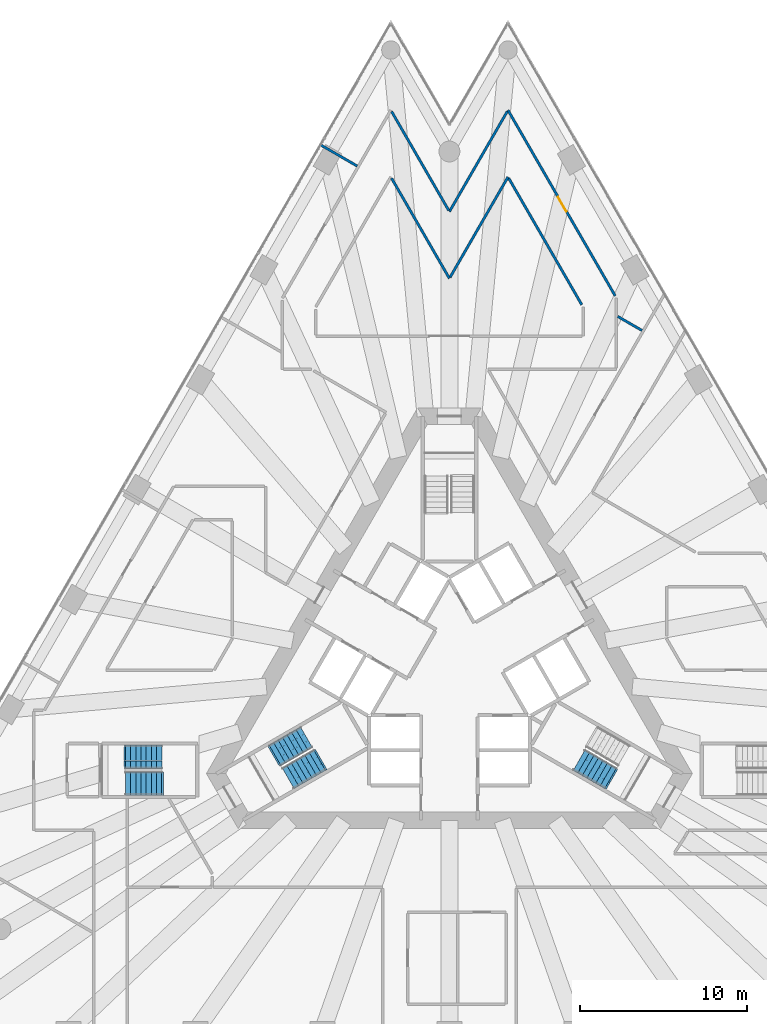
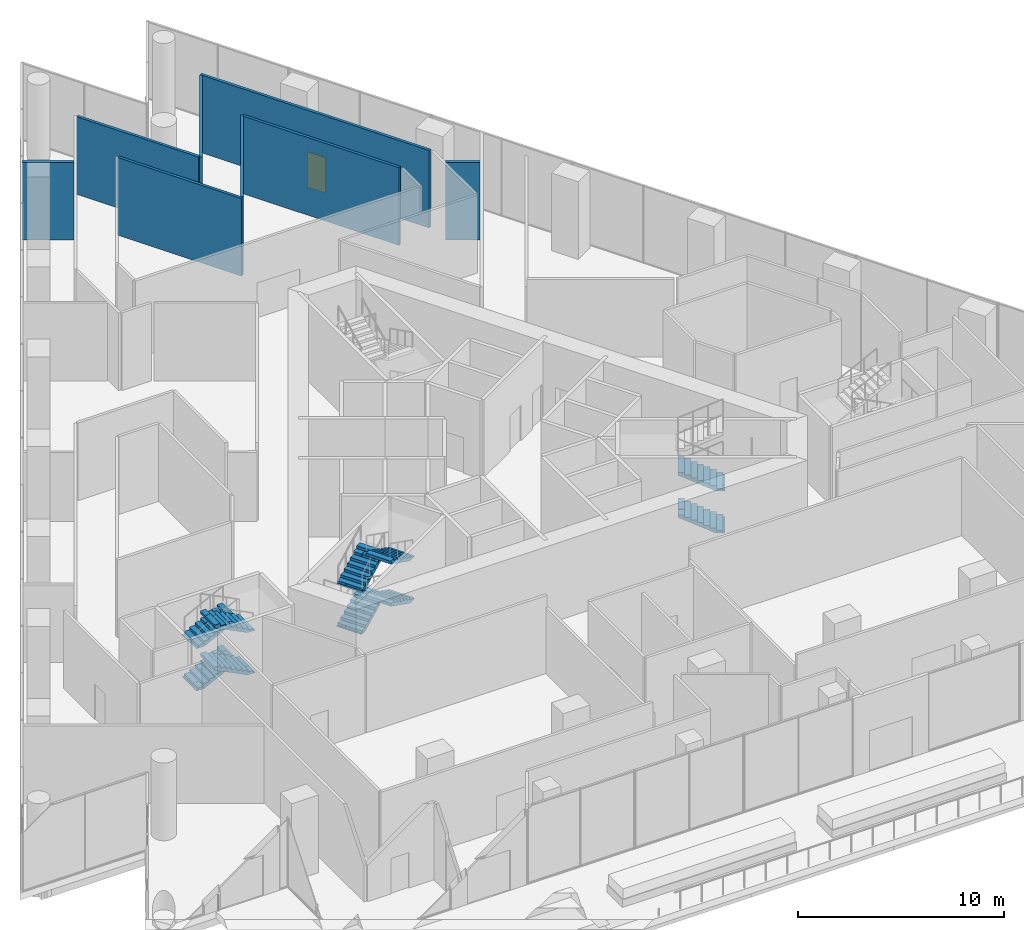
# One storey, part 29 of 32: 10 stair flights, 8 walls, 1 door, 1 opening, 3 elements without a shape of their own.
"""IFC4 building model written with IfcOpenShell, lengths in metres."""

from ifc_helpers import new_model, si_unit, direction, frame, frame_2d, origin, place, context, subcontext, project, spatial, polyline, rectangle, outline, extrude, material, layer, layer_set, type_object, element, fill, aggregate, save


model = new_model("IFC4")

# Units and contexts
model_context = context("Model", 3, precision=1e-05, world=origin(), true_north=direction((0.0, 1.0)))
body_context = subcontext(model_context, "Body", "Model", "MODEL_VIEW")
ifc_project = project(units=[si_unit("LENGTHUNIT", "METRE"), si_unit("AREAUNIT", "SQUARE_METRE"), si_unit("VOLUMEUNIT", "CUBIC_METRE"), si_unit("PLANEANGLEUNIT", "RADIAN"), si_unit("MASSUNIT", "GRAM", prefix="KILO")], contexts=[model_context])

# Site, building, storey
site_placement = place(None, origin())
site = spatial("IfcSite", under=ifc_project, at=site_placement, CompositionType="ELEMENT")
building_placement = place(site_placement, origin())
building = spatial("IfcBuilding", under=site, at=building_placement, Name="Triada Interchange Tower", CompositionType="ELEMENT")
storey_placement = place(building_placement, frame((0.0, 0.0, 25.300048828125)))
storey = spatial("IfcBuildingStorey", under=building, at=storey_placement, Name="L04", CompositionType="ELEMENT", Elevation=25.300048828125)

# Walls
ifc_material_1 = material(Name="Gypsum board partition")
ifc_layer_1 = layer(ifc_material_1, 0.14990234375)
ifc_layer_set_1 = layer_set([ifc_layer_1], Name="PARTITION 150")
wall_type_1 = type_object("IfcWallType", Name="PARTITION 150", PredefinedType="PARTITIONING", material=ifc_layer_set_1)
wall_1_placement = place(storey_placement, frame((-7.7109375, 31.444091796875, 0.0), z_axis=(0.0, 0.0, 1.0), x_axis=(0.86593764446, -0.500151972811, 0.0)))
element("IfcWall", 1, at=wall_1_placement, inside=storey, type_object=wall_type_1, Name="Wall L04 48", PredefinedType="PARTITIONING", context=body_context, shape_type="SweptSolid", body=[
    extrude(rectangle(XDim=2.525634765625, YDim=0.14990234375, at=frame_2d((1.2626953125, 0.0))), origin(), (0.0, 0.0, 1.0), 4.599853515625),
])
ifc_layer_2 = layer(ifc_material_1, 0.14990234375)
ifc_layer_set_2 = layer_set([ifc_layer_2], Name="PARTITION 150 EI 90")
wall_type_2 = type_object("IfcWallType", Name="PARTITION 150 EI 90", PredefinedType="PARTITIONING", material=ifc_layer_set_2)
wall_2_placement = place(storey_placement, frame((10.074951171875, 21.175048828125, 0.0), z_axis=(0.0, 0.0, 1.0), x_axis=(0.866072411327, -0.499918571708, 0.0)))
element("IfcWall", 2, at=wall_2_placement, inside=storey, type_object=wall_type_2, Name="Wall L04 49", PredefinedType="PARTITIONING", context=body_context, shape_type="SweptSolid", body=[
    extrude(rectangle(XDim=1.688232421875, YDim=0.14990234375, at=frame_2d((0.84423828125, 0.0))), origin(), (0.0, 0.0, 1.0), 4.599853515625),
])

# Wall, opening, door
wall_3_placement = place(storey_placement, frame((3.507080078125, 33.52490234375, 0.0), z_axis=(0.0, 0.0, 1.0), x_axis=(0.500009484899, -0.866019927606, 0.0)))
wall_3 = element("IfcWall", 3, at=wall_3_placement, inside=storey, type_object=wall_type_2, Name="Wall L04 51", PredefinedType="PARTITIONING", context=body_context, shape_type="SweptSolid", body=[
    extrude(rectangle(XDim=12.835693359375, YDim=0.14990234375, at=frame_2d((6.41796875, 0.0))), origin(), (0.0, 0.0, 1.0), 4.599853515625),
])
opening_placement = place(wall_3_placement, frame((5.992919921875, 0.0, 0.0)))
opening = element("IfcOpeningElement", 4, at=opening_placement, cuts=wall_3, Name="Opening D04-29", PredefinedType="OPENING", context=body_context, shape_type="SweptSolid", body=[
    extrude(rectangle(XDim=1.0, YDim=2.10009765625, at=frame_2d((0.5, 1.050048828125))), frame((0.0, 0.0849609375, 0.0), z_axis=(0.0, -1.0, 0.0), x_axis=(1.0, 0.0, 0.0)), (0.0, 0.0, 1.0), 0.169921875),
])
ifc_material_2 = material(Name="Steel S235 door leaf", Category="steel")
door_type = type_object("IfcDoorType", Name="ROOM DOOR 1000 EI2 45-C5S200", OperationType="NOTDEFINED", PredefinedType="DOOR", material=ifc_material_2)
door_placement = place(opening_placement, origin())
door = element("IfcDoor", 5, at=door_placement, inside=storey, type_object=door_type, Name="Door D04-29 L04", OperationType="SINGLE_SWING_LEFT", OverallHeight=2.10009765625, OverallWidth=1.0, PredefinedType="DOOR", context=body_context, shape_type="SweptSolid", body=[
    extrude(rectangle(XDim=1.0, YDim=2.10009765625, at=frame_2d((0.5, 1.050048828125))), frame((0.0, 0.02490234375, 0.0), z_axis=(0.0, -1.0, 0.0), x_axis=(1.0, 0.0, 0.0)), (0.0, 0.0, 1.0), 0.050048828125),
])
fill(opening, door)

# Walls
wall_4_placement = place(storey_placement, frame((0.0, 27.449951171875, 0.0), z_axis=(0.0, 0.0, 1.0), x_axis=(0.500001051461, 0.866024796723, 0.0)))
element("IfcWall", 6, at=wall_4_placement, inside=storey, type_object=wall_type_2, Name="Wall L04 53", PredefinedType="PARTITIONING", context=body_context, shape_type="SweptSolid", body=[
    extrude(rectangle(XDim=6.92822265625, YDim=0.14990234375, at=frame_2d((3.464111328125, 0.0))), origin(), (0.0, 0.0, 1.0), 4.599853515625),
])
wall_5_placement = place(storey_placement, frame((-3.464111328125, 33.449951171875, 0.0), z_axis=(0.0, 0.0, 1.0), x_axis=(0.500034424931, -0.866005527629, 0.0)))
element("IfcWall", 7, at=wall_5_placement, inside=storey, type_object=wall_type_2, Name="Wall L04 54", PredefinedType="PARTITIONING", context=body_context, shape_type="SweptSolid", body=[
    extrude(rectangle(XDim=6.841796875, YDim=0.14990234375, at=frame_2d((3.4208984375, 0.0))), origin(), (0.0, 0.0, 1.0), 4.599853515625),
])
for number, where, z_axis, x_axis, name in (
    (8, (-3.464111328125, 29.449951171875, 0.0), (0.0, 0.0, 1.0), (0.49994002247, -0.866060029058, 0.0), "Wall L04 84"),
    (9, (0.04296875, 23.52392578125, 0.0), (0.0, 0.0, 1.0), (0.49994002247, 0.866060029058, 0.0), "Wall L04 85"),
):
    element("IfcWall", number, at=place(storey_placement, frame(where, z_axis=z_axis, x_axis=x_axis)), inside=storey, type_object=wall_type_2, Name=name, PredefinedType="PARTITIONING", context=body_context, shape_type="SweptSolid", body=[
        extrude(rectangle(XDim=6.928955078125, YDim=0.14990234375, at=frame_2d((3.46435546875, 0.0))), origin(), (0.0, 0.0, 1.0), 4.599853515625),
    ])
wall_6_placement = place(storey_placement, frame((3.551025390625, 29.449951171875, 0.0), z_axis=(0.0, 0.0, 1.0), x_axis=(0.499956767928, -0.866050362394, 0.0)))
element("IfcWall", 10, at=wall_6_placement, inside=storey, type_object=wall_type_2, Name="Wall L04 86", PredefinedType="PARTITIONING", context=body_context, shape_type="SweptSolid", body=[
    extrude(rectangle(XDim=8.748779296875, YDim=0.14990234375, at=frame_2d((4.37451171875, 0.0))), origin(), (0.0, 0.0, 1.0), 4.599853515625),
])

# Stair, stair flights
ifc_material_3 = material(Name="Concrete C35/45", Category="concrete")
stair_type = type_object("IfcStairType", Name="HALF TURN STAIR 1400", PredefinedType="HALF_TURN_STAIR", material=ifc_material_3)
stair_1_placement = place(storey_placement, origin())
stair_1 = element("IfcStair", 11, at=stair_1_placement, inside=storey, type_object=stair_type, Name="Exit stair S04-2", PredefinedType="HALF_TURN_STAIR")
stair_flight_type = type_object("IfcStairFlightType", Name="STRAIGHT STAIR FLIGHT 1400", PredefinedType="STRAIGHT", material=ifc_material_3)
stair_flight_1_placement = place(storey_placement, frame((-10.446044921875, -5.10693359375, 0.0), z_axis=(0.0, 0.0, 1.0), x_axis=(0.866025403784, 0.5, 0.0)))
stair_flight_1 = element("IfcStairFlight", 12, at=stair_flight_1_placement, type_object=stair_flight_type, Name="S04-2 flight 1", NumberOfRisers=8, NumberOfTreads=7, PredefinedType="STRAIGHT", RiserHeight=0.15625, TreadLength=0.31, context=body_context, shape_type="SweptSolid", body=[
    extrude(outline(polyline([(-0.10009765625, 0.0), (-0.10009765625, 0.02001953125), (0.0, 0.02001953125), (0.0, 0.15625), (0.31005859375, 0.15625), (0.31005859375, 0.3125), (0.6201171875, 0.3125), (0.6201171875, 0.46875), (0.929931640625, 0.46875), (0.929931640625, 0.625), (1.239990234375, 0.625), (1.239990234375, 0.78125), (1.550048828125, 0.78125), (1.550048828125, 0.9375), (1.860107421875, 0.9375), (1.860107421875, 1.09375), (2.169921875, 1.09375), (2.174072265625, 1.09375), (2.174072265625, 1.25), (2.174072265625, 0.92578125), (0.3330078125, 0.0), (-0.10009765625, 0.0)])), frame((0.0, 0.699951171875, 0.0), z_axis=(0.0, -1.0, 0.0), x_axis=(1.0, 0.0, 0.0)), (0.0, 0.0, 1.0), 0.46533203125),
    extrude(outline(polyline([(-0.10009765625, 0.0), (-0.10009765625, 0.02001953125), (0.0, 0.02001953125), (0.0, 0.15625), (0.31005859375, 0.15625), (0.31005859375, 0.3125), (0.6201171875, 0.3125), (0.6201171875, 0.46875), (0.929931640625, 0.46875), (0.929931640625, 0.625), (1.239990234375, 0.625), (1.239990234375, 0.78125), (1.550048828125, 0.78125), (1.550048828125, 0.9375), (1.860107421875, 0.9375), (1.860107421875, 1.09375), (2.169921875, 1.09375), (2.174072265625, 1.09375), (2.174072265625, 1.25), (2.174072265625, 0.92578125), (0.3330078125, 0.0), (-0.10009765625, 0.0)])), frame((0.0, 0.232666015625, 0.0), z_axis=(0.0, -1.0, 0.0), x_axis=(1.0, 0.0, 0.0)), (0.0, 0.0, 1.0), 0.46533203125),
    extrude(outline(polyline([(-0.10009765625, 0.0), (-0.10009765625, 0.02001953125), (0.0, 0.02001953125), (0.0, 0.15625), (0.31005859375, 0.15625), (0.31005859375, 0.3125), (0.6201171875, 0.3125), (0.6201171875, 0.46875), (0.929931640625, 0.46875), (0.929931640625, 0.625), (1.239990234375, 0.625), (1.239990234375, 0.78125), (1.550048828125, 0.78125), (1.550048828125, 0.9375), (1.860107421875, 0.9375), (1.860107421875, 1.09375), (2.169921875, 1.09375), (2.174072265625, 1.09375), (2.174072265625, 1.25), (2.174072265625, 0.92578125), (0.3330078125, 0.0), (-0.10009765625, 0.0)])), frame((0.0, -0.234619140625, 0.0), z_axis=(0.0, -1.0, 0.0), x_axis=(1.0, 0.0, 0.0)), (0.0, 0.0, 1.0), 0.46533203125),
])
stair_flight_2_placement = place(storey_placement, frame((-7.76708984375, -5.407958984375, 1.25), z_axis=(0.0, 0.0, 1.0), x_axis=(-0.866025403784, -0.5, 0.0)))
stair_flight_2 = element("IfcStairFlight", 13, at=stair_flight_2_placement, type_object=stair_flight_type, Name="S04-2 flight 2", NumberOfRisers=8, NumberOfTreads=7, PredefinedType="STRAIGHT", RiserHeight=0.15625, TreadLength=0.31, context=body_context, shape_type="SweptSolid", body=[
    extrude(outline(polyline([(-0.10009765625, 0.0), (-0.10009765625, 0.02001953125), (0.0, 0.02001953125), (0.0, 0.15625), (0.31005859375, 0.15625), (0.31005859375, 0.3125), (0.6201171875, 0.3125), (0.6201171875, 0.46875), (0.929931640625, 0.46875), (0.929931640625, 0.625), (1.239990234375, 0.625), (1.239990234375, 0.78125), (1.550048828125, 0.78125), (1.550048828125, 0.9375), (1.860107421875, 0.9375), (1.860107421875, 1.09375), (2.169921875, 1.09375), (2.174072265625, 1.09375), (2.174072265625, 1.25), (2.174072265625, 0.92578125), (0.3330078125, 0.0), (-0.10009765625, 0.0)])), frame((0.0, 0.699951171875, 0.0), z_axis=(0.0, -1.0, 0.0), x_axis=(1.0, 0.0, 0.0)), (0.0, 0.0, 1.0), 0.46533203125),
    extrude(outline(polyline([(-0.10009765625, 0.0), (-0.10009765625, 0.02001953125), (0.0, 0.02001953125), (0.0, 0.15625), (0.31005859375, 0.15625), (0.31005859375, 0.3125), (0.6201171875, 0.3125), (0.6201171875, 0.46875), (0.929931640625, 0.46875), (0.929931640625, 0.625), (1.239990234375, 0.625), (1.239990234375, 0.78125), (1.550048828125, 0.78125), (1.550048828125, 0.9375), (1.860107421875, 0.9375), (1.860107421875, 1.09375), (2.169921875, 1.09375), (2.174072265625, 1.09375), (2.174072265625, 1.25), (2.174072265625, 0.92578125), (0.3330078125, 0.0), (-0.10009765625, 0.0)])), frame((0.0, 0.232666015625, 0.0), z_axis=(0.0, -1.0, 0.0), x_axis=(1.0, 0.0, 0.0)), (0.0, 0.0, 1.0), 0.46533203125),
    extrude(outline(polyline([(-0.10009765625, 0.0), (-0.10009765625, 0.02001953125), (0.0, 0.02001953125), (0.0, 0.15625), (0.31005859375, 0.15625), (0.31005859375, 0.3125), (0.6201171875, 0.3125), (0.6201171875, 0.46875), (0.929931640625, 0.46875), (0.929931640625, 0.625), (1.239990234375, 0.625), (1.239990234375, 0.78125), (1.550048828125, 0.78125), (1.550048828125, 0.9375), (1.860107421875, 0.9375), (1.860107421875, 1.09375), (2.169921875, 1.09375), (2.174072265625, 1.09375), (2.174072265625, 1.25), (2.174072265625, 0.92578125), (0.3330078125, 0.0), (-0.10009765625, 0.0)])), frame((0.0, -0.234619140625, 0.0), z_axis=(0.0, -1.0, 0.0), x_axis=(1.0, 0.0, 0.0)), (0.0, 0.0, 1.0), 0.46533203125),
])
stair_flight_3_placement = place(storey_placement, frame((-10.446044921875, -5.10693359375, 2.5), z_axis=(0.0, 0.0, 1.0), x_axis=(0.866025403784, 0.5, 0.0)))
stair_flight_3 = element("IfcStairFlight", 14, at=stair_flight_3_placement, type_object=stair_flight_type, Name="S04-2 flight 3", NumberOfRisers=8, NumberOfTreads=7, PredefinedType="STRAIGHT", RiserHeight=0.15625, TreadLength=0.31, context=body_context, shape_type="SweptSolid", body=[
    extrude(outline(polyline([(-0.10009765625, 0.0), (-0.10009765625, 0.02001953125), (0.0, 0.02001953125), (0.0, 0.15625), (0.31005859375, 0.15625), (0.31005859375, 0.3125), (0.6201171875, 0.3125), (0.6201171875, 0.46875), (0.929931640625, 0.46875), (0.929931640625, 0.625), (1.239990234375, 0.625), (1.239990234375, 0.78125), (1.550048828125, 0.78125), (1.550048828125, 0.9375), (1.860107421875, 0.9375), (1.860107421875, 1.09375), (2.169921875, 1.09375), (2.174072265625, 1.09375), (2.174072265625, 1.25), (2.174072265625, 0.92578125), (0.3330078125, 0.0), (-0.10009765625, 0.0)])), frame((0.0, 0.699951171875, 0.0), z_axis=(0.0, -1.0, 0.0), x_axis=(1.0, 0.0, 0.0)), (0.0, 0.0, 1.0), 0.46533203125),
    extrude(outline(polyline([(-0.10009765625, 0.0), (-0.10009765625, 0.02001953125), (0.0, 0.02001953125), (0.0, 0.15625), (0.31005859375, 0.15625), (0.31005859375, 0.3125), (0.6201171875, 0.3125), (0.6201171875, 0.46875), (0.929931640625, 0.46875), (0.929931640625, 0.625), (1.239990234375, 0.625), (1.239990234375, 0.78125), (1.550048828125, 0.78125), (1.550048828125, 0.9375), (1.860107421875, 0.9375), (1.860107421875, 1.09375), (2.169921875, 1.09375), (2.174072265625, 1.09375), (2.174072265625, 1.25), (2.174072265625, 0.92578125), (0.3330078125, 0.0), (-0.10009765625, 0.0)])), frame((0.0, 0.232666015625, 0.0), z_axis=(0.0, -1.0, 0.0), x_axis=(1.0, 0.0, 0.0)), (0.0, 0.0, 1.0), 0.46533203125),
    extrude(outline(polyline([(-0.10009765625, 0.0), (-0.10009765625, 0.02001953125), (0.0, 0.02001953125), (0.0, 0.15625), (0.31005859375, 0.15625), (0.31005859375, 0.3125), (0.6201171875, 0.3125), (0.6201171875, 0.46875), (0.929931640625, 0.46875), (0.929931640625, 0.625), (1.239990234375, 0.625), (1.239990234375, 0.78125), (1.550048828125, 0.78125), (1.550048828125, 0.9375), (1.860107421875, 0.9375), (1.860107421875, 1.09375), (2.169921875, 1.09375), (2.174072265625, 1.09375), (2.174072265625, 1.25), (2.174072265625, 0.92578125), (0.3330078125, 0.0), (-0.10009765625, 0.0)])), frame((0.0, -0.234619140625, 0.0), z_axis=(0.0, -1.0, 0.0), x_axis=(1.0, 0.0, 0.0)), (0.0, 0.0, 1.0), 0.46533203125),
])
stair_flight_4_placement = place(storey_placement, frame((-7.76708984375, -5.407958984375, 3.75), z_axis=(0.0, 0.0, 1.0), x_axis=(-0.866025403784, -0.5, 0.0)))
stair_flight_4 = element("IfcStairFlight", 15, at=stair_flight_4_placement, type_object=stair_flight_type, Name="S04-2 flight 4", NumberOfRisers=8, NumberOfTreads=7, PredefinedType="STRAIGHT", RiserHeight=0.15625, TreadLength=0.31, context=body_context, shape_type="SweptSolid", body=[
    extrude(outline(polyline([(-0.10009765625, 0.0), (-0.10009765625, 0.02001953125), (0.0, 0.02001953125), (0.0, 0.15625), (0.31005859375, 0.15625), (0.31005859375, 0.3125), (0.6201171875, 0.3125), (0.6201171875, 0.46875), (0.929931640625, 0.46875), (0.929931640625, 0.625), (1.239990234375, 0.625), (1.239990234375, 0.78125), (1.550048828125, 0.78125), (1.550048828125, 0.9375), (1.860107421875, 0.9375), (1.860107421875, 1.09375), (2.169921875, 1.09375), (2.174072265625, 1.09375), (2.174072265625, 1.25), (2.174072265625, 0.92578125), (0.3330078125, 0.0), (-0.10009765625, 0.0)])), frame((0.0, 0.699951171875, 0.0), z_axis=(0.0, -1.0, 0.0), x_axis=(1.0, 0.0, 0.0)), (0.0, 0.0, 1.0), 0.46533203125),
    extrude(outline(polyline([(-0.10009765625, 0.0), (-0.10009765625, 0.02001953125), (0.0, 0.02001953125), (0.0, 0.15625), (0.31005859375, 0.15625), (0.31005859375, 0.3125), (0.6201171875, 0.3125), (0.6201171875, 0.46875), (0.929931640625, 0.46875), (0.929931640625, 0.625), (1.239990234375, 0.625), (1.239990234375, 0.78125), (1.550048828125, 0.78125), (1.550048828125, 0.9375), (1.860107421875, 0.9375), (1.860107421875, 1.09375), (2.169921875, 1.09375), (2.174072265625, 1.09375), (2.174072265625, 1.25), (2.174072265625, 0.92578125), (0.3330078125, 0.0), (-0.10009765625, 0.0)])), frame((0.0, 0.232666015625, 0.0), z_axis=(0.0, -1.0, 0.0), x_axis=(1.0, 0.0, 0.0)), (0.0, 0.0, 1.0), 0.46533203125),
    extrude(outline(polyline([(-0.10009765625, 0.0), (-0.10009765625, 0.02001953125), (0.0, 0.02001953125), (0.0, 0.15625), (0.31005859375, 0.15625), (0.31005859375, 0.3125), (0.6201171875, 0.3125), (0.6201171875, 0.46875), (0.929931640625, 0.46875), (0.929931640625, 0.625), (1.239990234375, 0.625), (1.239990234375, 0.78125), (1.550048828125, 0.78125), (1.550048828125, 0.9375), (1.860107421875, 0.9375), (1.860107421875, 1.09375), (2.169921875, 1.09375), (2.174072265625, 1.09375), (2.174072265625, 1.25), (2.174072265625, 0.92578125), (0.3330078125, 0.0), (-0.10009765625, 0.0)])), frame((0.0, -0.234619140625, 0.0), z_axis=(0.0, -1.0, 0.0), x_axis=(1.0, 0.0, 0.0)), (0.0, 0.0, 1.0), 0.46533203125),
])
aggregate(stair_1, [stair_flight_1, stair_flight_2, stair_flight_3, stair_flight_4])

stair_2_placement = place(storey_placement, origin())
stair_2 = element("IfcStair", 16, at=stair_2_placement, inside=storey, type_object=stair_type, Name="Exit stair S04-3", PredefinedType="HALF_TURN_STAIR")
stair_flight_5_placement = place(storey_placement, frame((9.64599609375, -6.492919921875, 0.0), z_axis=(0.0, 0.0, 1.0), x_axis=(-0.866025403784, 0.5, 0.0)))
stair_flight_5 = element("IfcStairFlight", 17, at=stair_flight_5_placement, type_object=stair_flight_type, Name="S04-3 flight 1", NumberOfRisers=8, NumberOfTreads=7, PredefinedType="STRAIGHT", RiserHeight=0.15625, TreadLength=0.31, context=body_context, shape_type="SweptSolid", body=[
    extrude(outline(polyline([(-0.10009765625, 0.0), (-0.10009765625, 0.02001953125), (0.0, 0.02001953125), (0.0, 0.15625), (0.31005859375, 0.15625), (0.31005859375, 0.3125), (0.6201171875, 0.3125), (0.6201171875, 0.46875), (0.929931640625, 0.46875), (0.929931640625, 0.625), (1.239990234375, 0.625), (1.239990234375, 0.78125), (1.550048828125, 0.78125), (1.550048828125, 0.9375), (1.860107421875, 0.9375), (1.860107421875, 1.09375), (2.169921875, 1.09375), (2.174072265625, 1.09375), (2.174072265625, 1.25), (2.174072265625, 0.92578125), (0.3330078125, 0.0), (-0.10009765625, 0.0)])), frame((0.0, 0.699951171875, 0.0), z_axis=(0.0, -1.0, 0.0), x_axis=(1.0, 0.0, 0.0)), (0.0, 0.0, 1.0), 0.46533203125),
    extrude(outline(polyline([(-0.10009765625, 0.0), (-0.10009765625, 0.02001953125), (0.0, 0.02001953125), (0.0, 0.15625), (0.31005859375, 0.15625), (0.31005859375, 0.3125), (0.6201171875, 0.3125), (0.6201171875, 0.46875), (0.929931640625, 0.46875), (0.929931640625, 0.625), (1.239990234375, 0.625), (1.239990234375, 0.78125), (1.550048828125, 0.78125), (1.550048828125, 0.9375), (1.860107421875, 0.9375), (1.860107421875, 1.09375), (2.169921875, 1.09375), (2.174072265625, 1.09375), (2.174072265625, 1.25), (2.174072265625, 0.92578125), (0.3330078125, 0.0), (-0.10009765625, 0.0)])), frame((0.0, 0.232666015625, 0.0), z_axis=(0.0, -1.0, 0.0), x_axis=(1.0, 0.0, 0.0)), (0.0, 0.0, 1.0), 0.46533203125),
    extrude(outline(polyline([(-0.10009765625, 0.0), (-0.10009765625, 0.02001953125), (0.0, 0.02001953125), (0.0, 0.15625), (0.31005859375, 0.15625), (0.31005859375, 0.3125), (0.6201171875, 0.3125), (0.6201171875, 0.46875), (0.929931640625, 0.46875), (0.929931640625, 0.625), (1.239990234375, 0.625), (1.239990234375, 0.78125), (1.550048828125, 0.78125), (1.550048828125, 0.9375), (1.860107421875, 0.9375), (1.860107421875, 1.09375), (2.169921875, 1.09375), (2.174072265625, 1.09375), (2.174072265625, 1.25), (2.174072265625, 0.92578125), (0.3330078125, 0.0), (-0.10009765625, 0.0)])), frame((0.0, -0.234619140625, 0.0), z_axis=(0.0, -1.0, 0.0), x_axis=(1.0, 0.0, 0.0)), (0.0, 0.0, 1.0), 0.46533203125),
])
stair_flight_6_placement = place(storey_placement, frame((9.64599609375, -6.492919921875, 2.5), z_axis=(0.0, 0.0, 1.0), x_axis=(-0.866025403784, 0.5, 0.0)))
stair_flight_6 = element("IfcStairFlight", 18, at=stair_flight_6_placement, type_object=stair_flight_type, Name="S04-3 flight 3", NumberOfRisers=8, NumberOfTreads=7, PredefinedType="STRAIGHT", RiserHeight=0.15625, TreadLength=0.31, context=body_context, shape_type="SweptSolid", body=[
    extrude(outline(polyline([(-0.10009765625, 0.0), (-0.10009765625, 0.02001953125), (0.0, 0.02001953125), (0.0, 0.15625), (0.31005859375, 0.15625), (0.31005859375, 0.3125), (0.6201171875, 0.3125), (0.6201171875, 0.46875), (0.929931640625, 0.46875), (0.929931640625, 0.625), (1.239990234375, 0.625), (1.239990234375, 0.78125), (1.550048828125, 0.78125), (1.550048828125, 0.9375), (1.860107421875, 0.9375), (1.860107421875, 1.09375), (2.169921875, 1.09375), (2.174072265625, 1.09375), (2.174072265625, 1.25), (2.174072265625, 0.92578125), (0.3330078125, 0.0), (-0.10009765625, 0.0)])), frame((0.0, 0.699951171875, 0.0), z_axis=(0.0, -1.0, 0.0), x_axis=(1.0, 0.0, 0.0)), (0.0, 0.0, 1.0), 0.46533203125),
    extrude(outline(polyline([(-0.10009765625, 0.0), (-0.10009765625, 0.02001953125), (0.0, 0.02001953125), (0.0, 0.15625), (0.31005859375, 0.15625), (0.31005859375, 0.3125), (0.6201171875, 0.3125), (0.6201171875, 0.46875), (0.929931640625, 0.46875), (0.929931640625, 0.625), (1.239990234375, 0.625), (1.239990234375, 0.78125), (1.550048828125, 0.78125), (1.550048828125, 0.9375), (1.860107421875, 0.9375), (1.860107421875, 1.09375), (2.169921875, 1.09375), (2.174072265625, 1.09375), (2.174072265625, 1.25), (2.174072265625, 0.92578125), (0.3330078125, 0.0), (-0.10009765625, 0.0)])), frame((0.0, 0.232666015625, 0.0), z_axis=(0.0, -1.0, 0.0), x_axis=(1.0, 0.0, 0.0)), (0.0, 0.0, 1.0), 0.46533203125),
    extrude(outline(polyline([(-0.10009765625, 0.0), (-0.10009765625, 0.02001953125), (0.0, 0.02001953125), (0.0, 0.15625), (0.31005859375, 0.15625), (0.31005859375, 0.3125), (0.6201171875, 0.3125), (0.6201171875, 0.46875), (0.929931640625, 0.46875), (0.929931640625, 0.625), (1.239990234375, 0.625), (1.239990234375, 0.78125), (1.550048828125, 0.78125), (1.550048828125, 0.9375), (1.860107421875, 0.9375), (1.860107421875, 1.09375), (2.169921875, 1.09375), (2.174072265625, 1.09375), (2.174072265625, 1.25), (2.174072265625, 0.92578125), (0.3330078125, 0.0), (-0.10009765625, 0.0)])), frame((0.0, -0.234619140625, 0.0), z_axis=(0.0, -1.0, 0.0), x_axis=(1.0, 0.0, 0.0)), (0.0, 0.0, 1.0), 0.46533203125),
])
aggregate(stair_2, [stair_flight_5, stair_flight_6])

stair_3_placement = place(storey_placement, origin())
stair_3 = element("IfcStair", 19, at=stair_3_placement, inside=storey, type_object=stair_type, Name="Exit stair S04-6", PredefinedType="HALF_TURN_STAIR")
stair_flight_7_placement = place(storey_placement, frame((-19.39990234375, -5.199951171875, 0.0), z_axis=(0.0, 0.0, 1.0), x_axis=(1.0, 0.0, 0.0)))
stair_flight_7 = element("IfcStairFlight", 20, at=stair_flight_7_placement, type_object=stair_flight_type, Name="S04-6 flight 1", NumberOfRisers=8, NumberOfTreads=7, PredefinedType="STRAIGHT", RiserHeight=0.15625, TreadLength=0.31, context=body_context, shape_type="SweptSolid", body=[
    extrude(outline(polyline([(-0.10009765625, 0.0), (-0.10009765625, 0.02001953125), (0.0, 0.02001953125), (0.0, 0.15625), (0.31005859375, 0.15625), (0.31005859375, 0.3125), (0.6201171875, 0.3125), (0.6201171875, 0.46875), (0.929931640625, 0.46875), (0.929931640625, 0.625), (1.239990234375, 0.625), (1.239990234375, 0.78125), (1.550048828125, 0.78125), (1.550048828125, 0.9375), (1.860107421875, 0.9375), (1.860107421875, 1.09375), (2.169921875, 1.09375), (2.174072265625, 1.09375), (2.174072265625, 1.25), (2.174072265625, 0.92578125), (0.3330078125, 0.0), (-0.10009765625, 0.0)])), frame((0.0, 0.699951171875, 0.0), z_axis=(0.0, -1.0, 0.0), x_axis=(1.0, 0.0, 0.0)), (0.0, 0.0, 1.0), 0.46533203125),
    extrude(outline(polyline([(-0.10009765625, 0.0), (-0.10009765625, 0.02001953125), (0.0, 0.02001953125), (0.0, 0.15625), (0.31005859375, 0.15625), (0.31005859375, 0.3125), (0.6201171875, 0.3125), (0.6201171875, 0.46875), (0.929931640625, 0.46875), (0.929931640625, 0.625), (1.239990234375, 0.625), (1.239990234375, 0.78125), (1.550048828125, 0.78125), (1.550048828125, 0.9375), (1.860107421875, 0.9375), (1.860107421875, 1.09375), (2.169921875, 1.09375), (2.174072265625, 1.09375), (2.174072265625, 1.25), (2.174072265625, 0.92578125), (0.3330078125, 0.0), (-0.10009765625, 0.0)])), frame((0.0, 0.232666015625, 0.0), z_axis=(0.0, -1.0, 0.0), x_axis=(1.0, 0.0, 0.0)), (0.0, 0.0, 1.0), 0.46533203125),
    extrude(outline(polyline([(-0.10009765625, 0.0), (-0.10009765625, 0.02001953125), (0.0, 0.02001953125), (0.0, 0.15625), (0.31005859375, 0.15625), (0.31005859375, 0.3125), (0.6201171875, 0.3125), (0.6201171875, 0.46875), (0.929931640625, 0.46875), (0.929931640625, 0.625), (1.239990234375, 0.625), (1.239990234375, 0.78125), (1.550048828125, 0.78125), (1.550048828125, 0.9375), (1.860107421875, 0.9375), (1.860107421875, 1.09375), (2.169921875, 1.09375), (2.174072265625, 1.09375), (2.174072265625, 1.25), (2.174072265625, 0.92578125), (0.3330078125, 0.0), (-0.10009765625, 0.0)])), frame((0.0, -0.234619140625, 0.0), z_axis=(0.0, -1.0, 0.0), x_axis=(1.0, 0.0, 0.0)), (0.0, 0.0, 1.0), 0.46533203125),
])
stair_flight_8_placement = place(storey_placement, frame((-17.22998046875, -6.800048828125, 1.25), z_axis=(0.0, 0.0, 1.0), x_axis=(-1.0, 0.0, 0.0)))
stair_flight_8 = element("IfcStairFlight", 21, at=stair_flight_8_placement, type_object=stair_flight_type, Name="S04-6 flight 2", NumberOfRisers=8, NumberOfTreads=7, PredefinedType="STRAIGHT", RiserHeight=0.15625, TreadLength=0.31, context=body_context, shape_type="SweptSolid", body=[
    extrude(outline(polyline([(-0.10009765625, 0.0), (-0.10009765625, 0.02001953125), (0.0, 0.02001953125), (0.0, 0.15625), (0.31005859375, 0.15625), (0.31005859375, 0.3125), (0.6201171875, 0.3125), (0.6201171875, 0.46875), (0.929931640625, 0.46875), (0.929931640625, 0.625), (1.239990234375, 0.625), (1.239990234375, 0.78125), (1.550048828125, 0.78125), (1.550048828125, 0.9375), (1.860107421875, 0.9375), (1.860107421875, 1.09375), (2.169921875, 1.09375), (2.174072265625, 1.09375), (2.174072265625, 1.25), (2.174072265625, 0.92578125), (0.3330078125, 0.0), (-0.10009765625, 0.0)])), frame((0.0, 0.699951171875, 0.0), z_axis=(0.0, -1.0, 0.0), x_axis=(1.0, 0.0, 0.0)), (0.0, 0.0, 1.0), 0.46533203125),
    extrude(outline(polyline([(-0.10009765625, 0.0), (-0.10009765625, 0.02001953125), (0.0, 0.02001953125), (0.0, 0.15625), (0.31005859375, 0.15625), (0.31005859375, 0.3125), (0.6201171875, 0.3125), (0.6201171875, 0.46875), (0.929931640625, 0.46875), (0.929931640625, 0.625), (1.239990234375, 0.625), (1.239990234375, 0.78125), (1.550048828125, 0.78125), (1.550048828125, 0.9375), (1.860107421875, 0.9375), (1.860107421875, 1.09375), (2.169921875, 1.09375), (2.174072265625, 1.09375), (2.174072265625, 1.25), (2.174072265625, 0.92578125), (0.3330078125, 0.0), (-0.10009765625, 0.0)])), frame((0.0, 0.232666015625, 0.0), z_axis=(0.0, -1.0, 0.0), x_axis=(1.0, 0.0, 0.0)), (0.0, 0.0, 1.0), 0.46533203125),
    extrude(outline(polyline([(-0.10009765625, 0.0), (-0.10009765625, 0.02001953125), (0.0, 0.02001953125), (0.0, 0.15625), (0.31005859375, 0.15625), (0.31005859375, 0.3125), (0.6201171875, 0.3125), (0.6201171875, 0.46875), (0.929931640625, 0.46875), (0.929931640625, 0.625), (1.239990234375, 0.625), (1.239990234375, 0.78125), (1.550048828125, 0.78125), (1.550048828125, 0.9375), (1.860107421875, 0.9375), (1.860107421875, 1.09375), (2.169921875, 1.09375), (2.174072265625, 1.09375), (2.174072265625, 1.25), (2.174072265625, 0.92578125), (0.3330078125, 0.0), (-0.10009765625, 0.0)])), frame((0.0, -0.234619140625, 0.0), z_axis=(0.0, -1.0, 0.0), x_axis=(1.0, 0.0, 0.0)), (0.0, 0.0, 1.0), 0.46533203125),
])
stair_flight_9_placement = place(storey_placement, frame((-19.39990234375, -5.199951171875, 2.5), z_axis=(0.0, 0.0, 1.0), x_axis=(1.0, 0.0, 0.0)))
stair_flight_9 = element("IfcStairFlight", 22, at=stair_flight_9_placement, type_object=stair_flight_type, Name="S04-6 flight 3", NumberOfRisers=8, NumberOfTreads=7, PredefinedType="STRAIGHT", RiserHeight=0.15625, TreadLength=0.31, context=body_context, shape_type="SweptSolid", body=[
    extrude(outline(polyline([(-0.10009765625, 0.0), (-0.10009765625, 0.02001953125), (0.0, 0.02001953125), (0.0, 0.15625), (0.31005859375, 0.15625), (0.31005859375, 0.3125), (0.6201171875, 0.3125), (0.6201171875, 0.46875), (0.929931640625, 0.46875), (0.929931640625, 0.625), (1.239990234375, 0.625), (1.239990234375, 0.78125), (1.550048828125, 0.78125), (1.550048828125, 0.9375), (1.860107421875, 0.9375), (1.860107421875, 1.09375), (2.169921875, 1.09375), (2.174072265625, 1.09375), (2.174072265625, 1.25), (2.174072265625, 0.92578125), (0.3330078125, 0.0), (-0.10009765625, 0.0)])), frame((0.0, 0.699951171875, 0.0), z_axis=(0.0, -1.0, 0.0), x_axis=(1.0, 0.0, 0.0)), (0.0, 0.0, 1.0), 0.46533203125),
    extrude(outline(polyline([(-0.10009765625, 0.0), (-0.10009765625, 0.02001953125), (0.0, 0.02001953125), (0.0, 0.15625), (0.31005859375, 0.15625), (0.31005859375, 0.3125), (0.6201171875, 0.3125), (0.6201171875, 0.46875), (0.929931640625, 0.46875), (0.929931640625, 0.625), (1.239990234375, 0.625), (1.239990234375, 0.78125), (1.550048828125, 0.78125), (1.550048828125, 0.9375), (1.860107421875, 0.9375), (1.860107421875, 1.09375), (2.169921875, 1.09375), (2.174072265625, 1.09375), (2.174072265625, 1.25), (2.174072265625, 0.92578125), (0.3330078125, 0.0), (-0.10009765625, 0.0)])), frame((0.0, 0.232666015625, 0.0), z_axis=(0.0, -1.0, 0.0), x_axis=(1.0, 0.0, 0.0)), (0.0, 0.0, 1.0), 0.46533203125),
    extrude(outline(polyline([(-0.10009765625, 0.0), (-0.10009765625, 0.02001953125), (0.0, 0.02001953125), (0.0, 0.15625), (0.31005859375, 0.15625), (0.31005859375, 0.3125), (0.6201171875, 0.3125), (0.6201171875, 0.46875), (0.929931640625, 0.46875), (0.929931640625, 0.625), (1.239990234375, 0.625), (1.239990234375, 0.78125), (1.550048828125, 0.78125), (1.550048828125, 0.9375), (1.860107421875, 0.9375), (1.860107421875, 1.09375), (2.169921875, 1.09375), (2.174072265625, 1.09375), (2.174072265625, 1.25), (2.174072265625, 0.92578125), (0.3330078125, 0.0), (-0.10009765625, 0.0)])), frame((0.0, -0.234619140625, 0.0), z_axis=(0.0, -1.0, 0.0), x_axis=(1.0, 0.0, 0.0)), (0.0, 0.0, 1.0), 0.46533203125),
])
stair_flight_10_placement = place(storey_placement, frame((-17.22998046875, -6.800048828125, 3.75), z_axis=(0.0, 0.0, 1.0), x_axis=(-1.0, 0.0, 0.0)))
stair_flight_10 = element("IfcStairFlight", 23, at=stair_flight_10_placement, type_object=stair_flight_type, Name="S04-6 flight 4", NumberOfRisers=8, NumberOfTreads=7, PredefinedType="STRAIGHT", RiserHeight=0.15625, TreadLength=0.31, context=body_context, shape_type="SweptSolid", body=[
    extrude(outline(polyline([(-0.10009765625, 0.0), (-0.10009765625, 0.02001953125), (0.0, 0.02001953125), (0.0, 0.15625), (0.31005859375, 0.15625), (0.31005859375, 0.3125), (0.6201171875, 0.3125), (0.6201171875, 0.46875), (0.929931640625, 0.46875), (0.929931640625, 0.625), (1.239990234375, 0.625), (1.239990234375, 0.78125), (1.550048828125, 0.78125), (1.550048828125, 0.9375), (1.860107421875, 0.9375), (1.860107421875, 1.09375), (2.169921875, 1.09375), (2.174072265625, 1.09375), (2.174072265625, 1.25), (2.174072265625, 0.92578125), (0.3330078125, 0.0), (-0.10009765625, 0.0)])), frame((0.0, 0.699951171875, 0.0), z_axis=(0.0, -1.0, 0.0), x_axis=(1.0, 0.0, 0.0)), (0.0, 0.0, 1.0), 0.46533203125),
    extrude(outline(polyline([(-0.10009765625, 0.0), (-0.10009765625, 0.02001953125), (0.0, 0.02001953125), (0.0, 0.15625), (0.31005859375, 0.15625), (0.31005859375, 0.3125), (0.6201171875, 0.3125), (0.6201171875, 0.46875), (0.929931640625, 0.46875), (0.929931640625, 0.625), (1.239990234375, 0.625), (1.239990234375, 0.78125), (1.550048828125, 0.78125), (1.550048828125, 0.9375), (1.860107421875, 0.9375), (1.860107421875, 1.09375), (2.169921875, 1.09375), (2.174072265625, 1.09375), (2.174072265625, 1.25), (2.174072265625, 0.92578125), (0.3330078125, 0.0), (-0.10009765625, 0.0)])), frame((0.0, 0.232666015625, 0.0), z_axis=(0.0, -1.0, 0.0), x_axis=(1.0, 0.0, 0.0)), (0.0, 0.0, 1.0), 0.46533203125),
    extrude(outline(polyline([(-0.10009765625, 0.0), (-0.10009765625, 0.02001953125), (0.0, 0.02001953125), (0.0, 0.15625), (0.31005859375, 0.15625), (0.31005859375, 0.3125), (0.6201171875, 0.3125), (0.6201171875, 0.46875), (0.929931640625, 0.46875), (0.929931640625, 0.625), (1.239990234375, 0.625), (1.239990234375, 0.78125), (1.550048828125, 0.78125), (1.550048828125, 0.9375), (1.860107421875, 0.9375), (1.860107421875, 1.09375), (2.169921875, 1.09375), (2.174072265625, 1.09375), (2.174072265625, 1.25), (2.174072265625, 0.92578125), (0.3330078125, 0.0), (-0.10009765625, 0.0)])), frame((0.0, -0.234619140625, 0.0), z_axis=(0.0, -1.0, 0.0), x_axis=(1.0, 0.0, 0.0)), (0.0, 0.0, 1.0), 0.46533203125),
])
aggregate(stair_3, [stair_flight_7, stair_flight_8, stair_flight_9, stair_flight_10])

save(model, "model.ifc")
